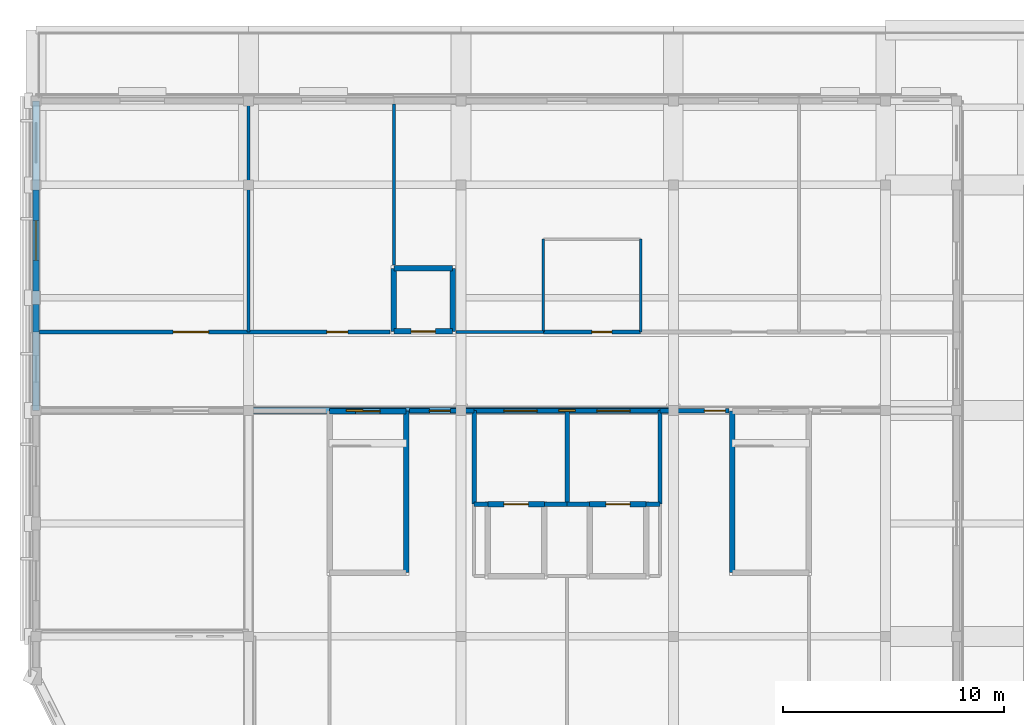
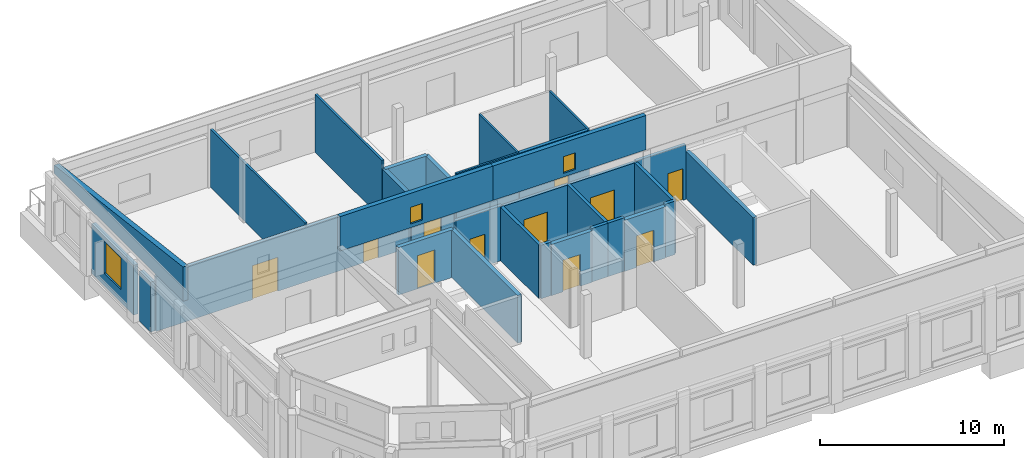
# One storey, part 4 of 8: 32 walls, 11 doors, 3 windows, 14 openings.
"""IFC4 building model written with IfcOpenShell, lengths in metres."""

from ifc_helpers import new_model, si_unit, direction, frame, frame_2d, origin, place, context, subcontext, project, spatial, polyline, rectangle, outline, extrude, material, layer, layer_set, type_object, element, fill, save


model = new_model("IFC4")

# Units and contexts
model_context = context("Model", 3, precision=1e-05, world=origin(), true_north=direction((0.0, 1.0)))
body_context = subcontext(model_context, "Body", "Model", "MODEL_VIEW")
ifc_project = project(units=[si_unit("LENGTHUNIT", "METRE"), si_unit("AREAUNIT", "SQUARE_METRE"), si_unit("VOLUMEUNIT", "CUBIC_METRE"), si_unit("PLANEANGLEUNIT", "RADIAN"), si_unit("MASSUNIT", "GRAM", prefix="KILO")], contexts=[model_context])

# Site, building, storey
site_placement = place(None, origin())
site = spatial("IfcSite", under=ifc_project, at=site_placement, CompositionType="ELEMENT")
building_placement = place(site_placement, origin())
building = spatial("IfcBuilding", under=site, at=building_placement, Name="Vondelvale Polytechnic", CompositionType="ELEMENT")
storey_placement = place(building_placement, frame((0.0, 0.0, 30.60009765625)))
storey = spatial("IfcBuildingStorey", under=building, at=storey_placement, Name="L07", CompositionType="ELEMENT", Elevation=30.60009765625)

# Wall
ifc_material_1 = material(Name="Amsterdam School iron-spot clinker clay brickwork", Category="masonry")
ifc_layer_1 = layer(ifc_material_1, 0.280029296875)
ifc_layer_set_1 = layer_set([ifc_layer_1], Name="WL-BRICK-280")
wall_type_1 = type_object("IfcWallType", Name="WL-BRICK-280", PredefinedType="SOLIDWALL", material=ifc_layer_set_1)
wall_1_placement = place(storey_placement, frame((0.0, 23.949951171875, 0.0), z_axis=(0.0, 0.0, 1.0), x_axis=(0.0, 1.0, 0.0)))
element("IfcWall", 1, at=wall_1_placement, inside=storey, type_object=wall_type_1, Name="L07 exterior masonry facade wall", PredefinedType="SOLIDWALL", context=body_context, shape_type="SweptSolid", body=[
    extrude(rectangle(XDim=1.2490234375, YDim=0.280029296875, at=frame_2d((0.62451171875, 0.0))), origin(), (0.0, 0.0, 1.0), 3.2998046875),
])

# Wall, opening, window
wall_2_placement = place(storey_placement, frame((0.0, 25.801025390625, 0.0), z_axis=(0.0, 0.0, 1.0), x_axis=(0.0, 1.0, 0.0)))
wall_2 = element("IfcWall", 2, at=wall_2_placement, inside=storey, type_object=wall_type_1, Name="L07 exterior masonry facade wall", PredefinedType="SOLIDWALL", context=body_context, shape_type="SweptSolid", body=[
    extrude(rectangle(XDim=4.572998046875, YDim=0.280029296875, at=frame_2d((2.28662109375, 0.0))), origin(), (0.0, 0.0, 1.0), 3.2998046875),
])
opening_1_placement = place(wall_2_placement, frame((1.386474609375, 0.0, 0.85009765625)))
opening_1 = element("IfcOpeningElement", 3, at=opening_1_placement, cuts=wall_2, Name="Opening WN-0304", PredefinedType="OPENING", context=body_context, shape_type="SweptSolid", body=[
    extrude(rectangle(XDim=1.800048828125, YDim=2.10009765625, at=frame_2d((0.89990234375, 1.050048828125))), frame((0.0, 0.14990234375, 0.0), z_axis=(0.0, -1.0, 0.0), x_axis=(1.0, 0.0, 0.0)), (0.0, 0.0, 1.0), 0.300048828125),
])
ifc_material_2 = material(Name="Double-glazed low-E insulated architectural glass", Category="glass")
window_type_1 = type_object("IfcWindowType", Name="WN-LAB-1800x2100", PartitioningType="SINGLE_PANEL", PredefinedType="WINDOW", material=ifc_material_2)
window_1_placement = place(opening_1_placement, origin())
window_1 = element("IfcWindow", 4, at=window_1_placement, inside=storey, type_object=window_type_1, Name="L07 double-glazed architectural window WN-0304", OverallHeight=2.10009765625, OverallWidth=1.800048828125, PartitioningType="SINGLE_PANEL", PredefinedType="WINDOW", context=body_context, shape_type="SweptSolid", body=[
    extrude(rectangle(XDim=1.800048828125, YDim=2.10009765625, at=frame_2d((0.89990234375, 1.050048828125))), frame((0.0, 0.030029296875, 0.0), z_axis=(0.0, -1.0, 0.0), x_axis=(1.0, 0.0, 0.0)), (0.0, 0.0, 1.0), 0.06005859375),
])
fill(opening_1, window_1)

wall_3_placement = place(storey_placement, frame((19.199951171875, 20.39990234375, 4.199951171875), z_axis=(0.0, 0.0, 1.0), x_axis=(-1.0, 0.0, 0.0)))
wall_3 = element("IfcWall", 5, at=wall_3_placement, inside=storey, type_object=wall_type_1, Name="L07 exterior masonry facade wall", PredefinedType="SOLIDWALL", context=body_context, shape_type="SweptSolid", body=[
    extrude(rectangle(XDim=9.599853515625, YDim=0.280029296875, at=frame_2d((4.7998046875, 0.0))), origin(), (0.0, 0.0, 1.0), 2.278564453125),
])
opening_2_placement = place(wall_3_placement, frame((4.425048828125, 0.0, 0.25)))
opening_2 = element("IfcOpeningElement", 6, at=opening_2_placement, cuts=wall_3, Name="Opening WN-0323", PredefinedType="OPENING", context=body_context, shape_type="SweptSolid", body=[
    extrude(rectangle(XDim=0.75, YDim=1.10009765625, at=frame_2d((0.375, 0.550048828125))), frame((0.0, 0.14990234375, 0.0), z_axis=(0.0, -1.0, 0.0), x_axis=(1.0, 0.0, 0.0)), (0.0, 0.0, 1.0), 0.300048828125),
])
window_type_2 = type_object("IfcWindowType", Name="WN-WC-0750x1100", PartitioningType="SINGLE_PANEL", PredefinedType="WINDOW", material=ifc_material_2)
window_2_placement = place(opening_2_placement, origin())
window_2 = element("IfcWindow", 7, at=window_2_placement, inside=storey, type_object=window_type_2, Name="L07 double-glazed architectural window WN-0323", OverallHeight=1.10009765625, OverallWidth=0.75, PartitioningType="SINGLE_PANEL", PredefinedType="WINDOW", context=body_context, shape_type="SweptSolid", body=[
    extrude(rectangle(XDim=0.75, YDim=1.10009765625, at=frame_2d((0.375, 0.550048828125))), frame((0.0, 0.030029296875, 0.0), z_axis=(0.0, -1.0, 0.0), x_axis=(1.0, 0.0, 0.0)), (0.0, 0.0, 1.0), 0.06005859375),
])
fill(opening_2, window_2)

wall_4_placement = place(storey_placement, frame((28.800048828125, 20.39990234375, 4.199951171875), z_axis=(0.0, 0.0, 1.0), x_axis=(-1.0, 0.0, 0.0)))
wall_4 = element("IfcWall", 8, at=wall_4_placement, inside=storey, type_object=wall_type_1, Name="L07 exterior masonry facade wall", PredefinedType="SOLIDWALL", context=body_context, shape_type="SweptSolid", body=[
    extrude(rectangle(XDim=9.60009765625, YDim=0.280029296875, at=frame_2d((4.800048828125, 0.0))), origin(), (0.0, 0.0, 1.0), 2.278564453125),
])
opening_3_placement = place(wall_4_placement, frame((4.425048828125, 0.0, 0.25)))
opening_3 = element("IfcOpeningElement", 9, at=opening_3_placement, cuts=wall_4, Name="Opening WN-0324", PredefinedType="OPENING", context=body_context, shape_type="SweptSolid", body=[
    extrude(rectangle(XDim=0.75, YDim=1.10009765625, at=frame_2d((0.375, 0.550048828125))), frame((0.0, 0.14990234375, 0.0), z_axis=(0.0, -1.0, 0.0), x_axis=(1.0, 0.0, 0.0)), (0.0, 0.0, 1.0), 0.300048828125),
])
window_3_placement = place(opening_3_placement, origin())
window_3 = element("IfcWindow", 10, at=window_3_placement, inside=storey, type_object=window_type_2, Name="L07 double-glazed architectural window WN-0324", OverallHeight=1.10009765625, OverallWidth=0.75, PartitioningType="SINGLE_PANEL", PredefinedType="WINDOW", context=body_context, shape_type="SweptSolid", body=[
    extrude(rectangle(XDim=0.75, YDim=1.10009765625, at=frame_2d((0.375, 0.550048828125))), frame((0.0, 0.030029296875, 0.0), z_axis=(0.0, -1.0, 0.0), x_axis=(1.0, 0.0, 0.0)), (0.0, 0.0, 1.0), 0.06005859375),
])
fill(opening_3, window_3)

# Walls
ifc_layer_2 = layer(ifc_material_1, 0.320068359375)
ifc_layer_set_2 = layer_set([ifc_layer_2], Name="WL-BRICK-320")
wall_type_2 = type_object("IfcWallType", Name="WL-BRICK-320", PredefinedType="SOLIDWALL", material=ifc_layer_set_2)
wall_5_placement = place(storey_placement, frame((0.0, 20.39990234375, 4.199951171875), z_axis=(0.0, 0.0, 1.0), x_axis=(0.0, 1.0, 0.0)))
element("IfcWall", 11, at=wall_5_placement, inside=storey, type_object=wall_type_2, Name="Roof studio raking brick gable 2-W", PredefinedType="SOLIDWALL", context=body_context, shape_type="SweptSolid", body=[
    extrude(outline(polyline([(0.0, 0.0), (14.0, 0.0), (14.0, 0.550537109375), (0.0, 2.278564453125), (0.0, 0.0)])), frame((0.0, 0.16015625, 0.0), z_axis=(0.0, -1.0, 0.0), x_axis=(1.0, 0.0, 0.0)), (0.0, 0.0, 1.0), 0.320068359375),
])
ifc_material_3 = material(Name="Concrete N40 (f'c = 40 MPa)", Category="concrete")
ifc_layer_3 = layer(ifc_material_3, 0.25)
ifc_layer_set_3 = layer_set([ifc_layer_3], Name="WL-CORE-250")
wall_type_3 = type_object("IfcWallType", Name="WL-CORE-250", PredefinedType="SOLIDWALL", material=ifc_layer_set_3)
wall_6_placement = place(storey_placement, frame((16.72509765625, 13.074951171875, 0.0), z_axis=(0.0, 0.0, 1.0), x_axis=(0.0, 1.0, 0.0)))
element("IfcWall", 12, at=wall_6_placement, inside=storey, type_object=wall_type_3, Name="L07 ST-03 reinforced concrete stair core wall", PredefinedType="SOLIDWALL", context=body_context, shape_type="SweptSolid", body=[
    extrude(rectangle(XDim=7.300048828125, YDim=0.25, at=frame_2d((3.64990234375, 0.0))), origin(), (0.0, 0.0, 1.0), 3.14990234375),
])

# Wall, opening, door
wall_7_placement = place(storey_placement, frame((16.72509765625, 20.375, 0.0), z_axis=(0.0, 0.0, 1.0), x_axis=(-1.0, 0.0, 0.0)))
wall_7 = element("IfcWall", 13, at=wall_7_placement, inside=storey, type_object=wall_type_3, Name="L07 ST-03 reinforced concrete stair core wall", PredefinedType="SOLIDWALL", context=body_context, shape_type="SweptSolid", body=[
    extrude(rectangle(XDim=3.4501953125, YDim=0.25, at=frame_2d((1.72509765625, 0.0))), origin(), (0.0, 0.0, 1.0), 3.14990234375),
])
opening_4_placement = place(wall_7_placement, frame((1.175048828125, 0.0, 0.0)))
opening_4 = element("IfcOpeningElement", 14, at=opening_4_placement, cuts=wall_7, Name="Opening SD-017", PredefinedType="OPENING", context=body_context, shape_type="SweptSolid", body=[
    extrude(rectangle(XDim=1.10009765625, YDim=2.199951171875, at=frame_2d((0.550048828125, 1.10009765625))), frame((0.0, 0.135009765625, 0.0), z_axis=(0.0, -1.0, 0.0), x_axis=(1.0, 0.0, 0.0)), (0.0, 0.0, 1.0), 0.27001953125),
])
ifc_material_4 = material(Name="Brushed architectural stainless and zinc-coated metal")
door_type_1 = type_object("IfcDoorType", Name="DR-STAIR-1100x2200", OperationType="SINGLE_SWING_LEFT", PredefinedType="DOOR", material=ifc_material_4)
door_1_placement = place(opening_4_placement, origin())
door_1 = element("IfcDoor", 15, at=door_1_placement, inside=storey, type_object=door_type_1, Name="L07 ST-03 fire-isolated stair door", OperationType="SINGLE_SWING_LEFT", OverallHeight=2.199951171875, OverallWidth=1.10009765625, PredefinedType="DOOR", context=body_context, shape_type="SweptSolid", body=[
    extrude(rectangle(XDim=1.10009765625, YDim=2.199951171875, at=frame_2d((0.550048828125, 1.10009765625))), frame((0.0, 0.02490234375, 0.0), z_axis=(0.0, -1.0, 0.0), x_axis=(1.0, 0.0, 0.0)), (0.0, 0.0, 1.0), 0.050048828125),
])
fill(opening_4, door_1)

# Wall
wall_8_placement = place(storey_placement, frame((31.47509765625, 20.375, 0.0), z_axis=(0.0, 0.0, 1.0), x_axis=(0.0, -1.0, 0.0)))
element("IfcWall", 16, at=wall_8_placement, inside=storey, type_object=wall_type_3, Name="L07 ST-04 reinforced concrete stair core wall", PredefinedType="SOLIDWALL", context=body_context, shape_type="SweptSolid", body=[
    extrude(rectangle(XDim=7.300048828125, YDim=0.25, at=frame_2d((3.64990234375, 0.0))), origin(), (0.0, 0.0, 1.0), 3.14990234375),
])

# Wall, opening, door
ifc_material_5 = material(Name="Fire-rated double-layer plasterboard stud partition")
ifc_layer_4 = layer(ifc_material_5, 0.199951171875)
ifc_layer_set_4 = layer_set([ifc_layer_4], Name="WL-CORR-200")
wall_type_4 = type_object("IfcWallType", Name="WL-CORR-200", PredefinedType="PARTITIONING", material=ifc_layer_set_4)
wall_9_placement = place(storey_placement, frame((19.800048828125, 20.39990234375, 0.0), z_axis=(0.0, 0.0, 1.0), x_axis=(1.0, 0.0, 0.0)))
wall_9 = element("IfcWall", 17, at=wall_9_placement, inside=storey, type_object=wall_type_4, Name="L07 EL-01 fire-isolated lift lobby wall", PredefinedType="PARTITIONING", context=body_context, shape_type="SweptSolid", body=[
    extrude(rectangle(XDim=4.199951171875, YDim=0.199951171875, at=frame_2d((2.10009765625, 0.0))), origin(), (0.0, 0.0, 1.0), 3.5498046875),
])
opening_5_placement = place(wall_9_placement, frame((1.35009765625, 0.0, 0.0)))
opening_5 = element("IfcOpeningElement", 18, at=opening_5_placement, cuts=wall_9, Name="Opening LBD-064", PredefinedType="OPENING", context=body_context, shape_type="SweptSolid", body=[
    extrude(rectangle(XDim=1.5, YDim=2.199951171875, at=frame_2d((0.75, 1.10009765625))), frame((0.0, 0.10986328125, 0.0), z_axis=(0.0, -1.0, 0.0), x_axis=(1.0, 0.0, 0.0)), (0.0, 0.0, 1.0), 0.219970703125),
])
ifc_material_6 = material(Name="Engineered Tasmanian oak studio and bridge joinery")
door_type_2 = type_object("IfcDoorType", Name="DR-LOBBY-1500x2200", OperationType="DOUBLE_DOOR_SINGLE_SWING", PredefinedType="DOOR", material=ifc_material_6)
door_2_placement = place(opening_5_placement, origin())
door_2 = element("IfcDoor", 19, at=door_2_placement, inside=storey, type_object=door_type_2, Name="L07 EL-01 firefighting lobby smoke door", OperationType="SINGLE_SWING_LEFT", OverallHeight=2.199951171875, OverallWidth=1.5, PredefinedType="DOOR", context=body_context, shape_type="SweptSolid", body=[
    extrude(rectangle(XDim=1.5, YDim=2.199951171875, at=frame_2d((0.75, 1.10009765625))), frame((0.0, 0.02490234375, 0.0), z_axis=(0.0, -1.0, 0.0), x_axis=(1.0, 0.0, 0.0)), (0.0, 0.0, 1.0), 0.050048828125),
])
fill(opening_5, door_2)

# Walls
for number, where, z_axis, x_axis, name in (
    (20, (19.800048828125, 16.175048828125, 0.0), (0.0, 0.0, 1.0), (0.0, 1.0, 0.0), "L07 EL-01 fire-isolated lift lobby wall"),
    (21, (24.0, 16.175048828125, 0.0), (0.0, 0.0, 1.0), (0.0, 1.0, 0.0), "L07 EL-01 fire-isolated lift lobby wall"),
):
    element("IfcWall", number, at=place(storey_placement, frame(where, z_axis=z_axis, x_axis=x_axis)), inside=storey, type_object=wall_type_4, Name=name, PredefinedType="PARTITIONING", context=body_context, shape_type="SweptSolid", body=[
        extrude(rectangle(XDim=4.224853515625, YDim=0.199951171875, at=frame_2d((2.1123046875, 0.0))), origin(), (0.0, 0.0, 1.0), 3.5498046875),
    ])
wall_10_placement = place(storey_placement, frame((19.800048828125, 16.175048828125, 0.0), z_axis=(0.0, 0.0, 1.0), x_axis=(1.0, 0.0, 0.0)))
element("IfcWall", 22, at=wall_10_placement, inside=storey, type_object=wall_type_4, Name="L07 EL-01 fire-isolated lift lobby wall", PredefinedType="PARTITIONING", context=body_context, shape_type="SweptSolid", body=[
    extrude(rectangle(XDim=0.625, YDim=0.199951171875, at=frame_2d((0.3125, 0.0))), origin(), (0.0, 0.0, 1.0), 3.5498046875),
])
wall_11_placement = place(storey_placement, frame((22.97509765625, 16.175048828125, 0.0), z_axis=(0.0, 0.0, 1.0), x_axis=(1.0, 0.0, 0.0)))
element("IfcWall", 23, at=wall_11_placement, inside=storey, type_object=wall_type_4, Name="L07 EL-01 fire-isolated lift lobby wall", PredefinedType="PARTITIONING", context=body_context, shape_type="SweptSolid", body=[
    extrude(rectangle(XDim=1.02490234375, YDim=0.199951171875, at=frame_2d((0.512451171875, 0.0))), origin(), (0.0, 0.0, 1.0), 3.5498046875),
])

# Wall, opening, door
wall_12_placement = place(storey_placement, frame((24.0, 20.39990234375, 0.0), z_axis=(0.0, 0.0, 1.0), x_axis=(1.0, 0.0, 0.0)))
wall_12 = element("IfcWall", 24, at=wall_12_placement, inside=storey, type_object=wall_type_4, Name="L07 EL-02 fire-isolated lift lobby wall", PredefinedType="PARTITIONING", context=body_context, shape_type="SweptSolid", body=[
    extrude(rectangle(XDim=4.199951171875, YDim=0.199951171875, at=frame_2d((2.10009765625, 0.0))), origin(), (0.0, 0.0, 1.0), 3.5498046875),
])
opening_6_placement = place(wall_12_placement, frame((1.35009765625, 0.0, 0.0)))
opening_6 = element("IfcOpeningElement", 25, at=opening_6_placement, cuts=wall_12, Name="Opening LBD-073", PredefinedType="OPENING", context=body_context, shape_type="SweptSolid", body=[
    extrude(rectangle(XDim=1.5, YDim=2.199951171875, at=frame_2d((0.75, 1.10009765625))), frame((0.0, 0.10986328125, 0.0), z_axis=(0.0, -1.0, 0.0), x_axis=(1.0, 0.0, 0.0)), (0.0, 0.0, 1.0), 0.219970703125),
])
door_3_placement = place(opening_6_placement, origin())
door_3 = element("IfcDoor", 26, at=door_3_placement, inside=storey, type_object=door_type_2, Name="L07 EL-02 firefighting lobby smoke door", OperationType="SINGLE_SWING_LEFT", OverallHeight=2.199951171875, OverallWidth=1.5, PredefinedType="DOOR", context=body_context, shape_type="SweptSolid", body=[
    extrude(rectangle(XDim=1.5, YDim=2.199951171875, at=frame_2d((0.75, 1.10009765625))), frame((0.0, 0.02490234375, 0.0), z_axis=(0.0, -1.0, 0.0), x_axis=(1.0, 0.0, 0.0)), (0.0, 0.0, 1.0), 0.050048828125),
])
fill(opening_6, door_3)

# Walls
wall_13_placement = place(storey_placement, frame((28.199951171875, 16.175048828125, 0.0), z_axis=(0.0, 0.0, 1.0), x_axis=(0.0, 1.0, 0.0)))
element("IfcWall", 27, at=wall_13_placement, inside=storey, type_object=wall_type_4, Name="L07 EL-02 fire-isolated lift lobby wall", PredefinedType="PARTITIONING", context=body_context, shape_type="SweptSolid", body=[
    extrude(rectangle(XDim=4.224853515625, YDim=0.199951171875, at=frame_2d((2.1123046875, 0.0))), origin(), (0.0, 0.0, 1.0), 3.5498046875),
])
wall_14_placement = place(storey_placement, frame((24.0, 16.175048828125, 0.0), z_axis=(0.0, 0.0, 1.0), x_axis=(1.0, 0.0, 0.0)))
element("IfcWall", 28, at=wall_14_placement, inside=storey, type_object=wall_type_4, Name="L07 EL-02 fire-isolated lift lobby wall", PredefinedType="PARTITIONING", context=body_context, shape_type="SweptSolid", body=[
    extrude(rectangle(XDim=1.02490234375, YDim=0.199951171875, at=frame_2d((0.512451171875, 0.0))), origin(), (0.0, 0.0, 1.0), 3.5498046875),
])
wall_15_placement = place(storey_placement, frame((27.574951171875, 16.175048828125, 0.0), z_axis=(0.0, 0.0, 1.0), x_axis=(1.0, 0.0, 0.0)))
element("IfcWall", 29, at=wall_15_placement, inside=storey, type_object=wall_type_4, Name="L07 EL-02 fire-isolated lift lobby wall", PredefinedType="PARTITIONING", context=body_context, shape_type="SweptSolid", body=[
    extrude(rectangle(XDim=0.625, YDim=0.199951171875, at=frame_2d((0.3125, 0.0))), origin(), (0.0, 0.0, 1.0), 3.5498046875),
])

# Wall, opening, door
wall_16_placement = place(storey_placement, frame((16.889892578125, 20.39990234375, 0.0), z_axis=(0.0, 0.0, 1.0), x_axis=(1.0, 0.0, 0.0)))
wall_16 = element("IfcWall", 30, at=wall_16_placement, inside=storey, type_object=wall_type_4, Name="L07 interior acoustic partition", PredefinedType="PARTITIONING", context=body_context, shape_type="SweptSolid", body=[
    extrude(rectangle(XDim=2.91015625, YDim=0.199951171875, at=frame_2d((1.455078125, 0.0))), origin(), (0.0, 0.0, 1.0), 3.6298828125),
])
opening_7_placement = place(wall_16_placement, frame((0.885009765625, 0.0, 0.0)))
opening_7 = element("IfcOpeningElement", 31, at=opening_7_placement, cuts=wall_16, Name="Opening ID-0205", PredefinedType="OPENING", context=body_context, shape_type="SweptSolid", body=[
    extrude(rectangle(XDim=0.949951171875, YDim=2.10009765625, at=frame_2d((0.47509765625, 1.050048828125))), frame((0.0, 0.10986328125, 0.0), z_axis=(0.0, -1.0, 0.0), x_axis=(1.0, 0.0, 0.0)), (0.0, 0.0, 1.0), 0.219970703125),
])
ifc_material_7 = material(Name="Fire-rated solid Tasmanian oak joinery")
door_type_3 = type_object("IfcDoorType", Name="DR-INT-0950x2100", OperationType="SINGLE_SWING_LEFT", PredefinedType="DOOR", material=ifc_material_7)
door_4_placement = place(opening_7_placement, origin())
door_4 = element("IfcDoor", 32, at=door_4_placement, inside=storey, type_object=door_type_3, Name="L07 interior room door ID-0205", OperationType="SINGLE_SWING_LEFT", OverallHeight=2.10009765625, OverallWidth=0.949951171875, PredefinedType="DOOR", context=body_context, shape_type="SweptSolid", body=[
    extrude(rectangle(XDim=0.949951171875, YDim=2.10009765625, at=frame_2d((0.47509765625, 1.050048828125))), frame((0.0, 0.02490234375, 0.0), z_axis=(0.0, -1.0, 0.0), x_axis=(1.0, 0.0, 0.0)), (0.0, 0.0, 1.0), 0.050048828125),
])
fill(opening_7, door_4)

wall_17_placement = place(storey_placement, frame((28.199951171875, 20.39990234375, 0.0), z_axis=(0.0, 0.0, 1.0), x_axis=(1.0, 0.0, 0.0)))
wall_17 = element("IfcWall", 33, at=wall_17_placement, inside=storey, type_object=wall_type_4, Name="L07 interior acoustic partition", PredefinedType="PARTITIONING", context=body_context, shape_type="SweptSolid", body=[
    extrude(rectangle(XDim=3.110107421875, YDim=0.199951171875, at=frame_2d((1.55517578125, 0.0))), origin(), (0.0, 0.0, 1.0), 3.6298828125),
])
opening_8_placement = place(wall_17_placement, frame((2.0, 0.0, 0.0)))
opening_8 = element("IfcOpeningElement", 34, at=opening_8_placement, cuts=wall_17, Name="Opening ID-0206", PredefinedType="OPENING", context=body_context, shape_type="SweptSolid", body=[
    extrude(rectangle(XDim=0.949951171875, YDim=2.10009765625, at=frame_2d((0.47509765625, 1.050048828125))), frame((0.0, 0.10986328125, 0.0), z_axis=(0.0, -1.0, 0.0), x_axis=(1.0, 0.0, 0.0)), (0.0, 0.0, 1.0), 0.219970703125),
])
door_5_placement = place(opening_8_placement, origin())
door_5 = element("IfcDoor", 35, at=door_5_placement, inside=storey, type_object=door_type_3, Name="L07 interior room door ID-0206", OperationType="SINGLE_SWING_RIGHT", OverallHeight=2.10009765625, OverallWidth=0.949951171875, PredefinedType="DOOR", context=body_context, shape_type="SweptSolid", body=[
    extrude(rectangle(XDim=0.949951171875, YDim=2.10009765625, at=frame_2d((0.47509765625, 1.050048828125))), frame((0.0, 0.02490234375, 0.0), z_axis=(0.0, -1.0, 0.0), x_axis=(1.0, 0.0, 0.0)), (0.0, 0.0, 1.0), 0.050048828125),
])
fill(opening_8, door_5)

wall_18_placement = place(storey_placement, frame((22.925048828125, 23.949951171875, 0.0), z_axis=(0.0, 0.0, 1.0), x_axis=(1.0, 0.0, 0.0)))
wall_18 = element("IfcWall", 36, at=wall_18_placement, inside=storey, type_object=wall_type_4, Name="L07 interior acoustic partition", PredefinedType="PARTITIONING", context=body_context, shape_type="SweptSolid", body=[
    extrude(rectangle(XDim=4.39990234375, YDim=0.199951171875, at=frame_2d((2.199951171875, 0.0))), origin(), (0.0, 0.0, 1.0), 3.849853515625),
])
opening_9_placement = place(wall_18_placement, frame((2.199951171875, 0.0, 0.0)))
opening_9 = element("IfcOpeningElement", 37, at=opening_9_placement, cuts=wall_18, Name="Opening ID-0208", PredefinedType="OPENING", context=body_context, shape_type="SweptSolid", body=[
    extrude(rectangle(XDim=0.89990234375, YDim=2.050048828125, at=frame_2d((0.449951171875, 1.02490234375))), frame((0.0, 0.10986328125, 0.0), z_axis=(0.0, -1.0, 0.0), x_axis=(1.0, 0.0, 0.0)), (0.0, 0.0, 1.0), 0.219970703125),
])
door_type_4 = type_object("IfcDoorType", Name="DR-WC-0900x2050", OperationType="SINGLE_SWING_RIGHT", PredefinedType="DOOR", material=ifc_material_7)
door_6_placement = place(opening_9_placement, origin())
door_6 = element("IfcDoor", 38, at=door_6_placement, inside=storey, type_object=door_type_4, Name="L07 interior room door ID-0208", OperationType="SINGLE_SWING_RIGHT", OverallHeight=2.050048828125, OverallWidth=0.89990234375, PredefinedType="DOOR", context=body_context, shape_type="SweptSolid", body=[
    extrude(rectangle(XDim=0.89990234375, YDim=2.050048828125, at=frame_2d((0.449951171875, 1.02490234375))), frame((0.0, 0.02490234375, 0.0), z_axis=(0.0, -1.0, 0.0), x_axis=(1.0, 0.0, 0.0)), (0.0, 0.0, 1.0), 0.050048828125),
])
fill(opening_9, door_6)

# Wall, openings, doors
wall_19_placement = place(storey_placement, frame((0.14990234375, 23.949951171875, 0.0), z_axis=(0.0, 0.0, 1.0), x_axis=(1.0, 0.0, 0.0)))
wall_19 = element("IfcWall", 39, at=wall_19_placement, inside=storey, type_object=wall_type_4, Name="L07 interior acoustic partition", PredefinedType="PARTITIONING", context=body_context, shape_type="SweptSolid", body=[
    extrude(rectangle(XDim=15.860107421875, YDim=0.199951171875, at=frame_2d((7.93017578125, 0.0))), origin(), (0.0, 0.0, 1.0), 3.6298828125),
])
opening_10_placement = place(wall_19_placement, frame((6.050048828125, 0.0, 0.0)))
opening_10 = element("IfcOpeningElement", 40, at=opening_10_placement, cuts=wall_19, Name="Opening ID-0209", PredefinedType="OPENING", context=body_context, shape_type="SweptSolid", body=[
    extrude(rectangle(XDim=1.60009765625, YDim=2.25, at=frame_2d((0.800048828125, 1.125))), frame((0.0, 0.10986328125, 0.0), z_axis=(0.0, -1.0, 0.0), x_axis=(1.0, 0.0, 0.0)), (0.0, 0.0, 1.0), 0.219970703125),
])
opening_11_placement = place(wall_19_placement, frame((13.0, 0.0, 0.0)))
opening_11 = element("IfcOpeningElement", 41, at=opening_11_placement, cuts=wall_19, Name="Opening ID-0210", PredefinedType="OPENING", context=body_context, shape_type="SweptSolid", body=[
    extrude(rectangle(XDim=0.949951171875, YDim=2.10009765625, at=frame_2d((0.47509765625, 1.050048828125))), frame((0.0, 0.10986328125, 0.0), z_axis=(0.0, -1.0, 0.0), x_axis=(1.0, 0.0, 0.0)), (0.0, 0.0, 1.0), 0.219970703125),
])
door_7_placement = place(opening_11_placement, origin())
door_7 = element("IfcDoor", 42, at=door_7_placement, inside=storey, type_object=door_type_3, Name="L07 interior room door ID-0210", OperationType="SINGLE_SWING_RIGHT", OverallHeight=2.10009765625, OverallWidth=0.949951171875, PredefinedType="DOOR", context=body_context, shape_type="SweptSolid", body=[
    extrude(rectangle(XDim=0.949951171875, YDim=2.10009765625, at=frame_2d((0.47509765625, 1.050048828125))), frame((0.0, 0.02490234375, 0.0), z_axis=(0.0, -1.0, 0.0), x_axis=(1.0, 0.0, 0.0)), (0.0, 0.0, 1.0), 0.050048828125),
])
fill(opening_11, door_7)
door_type_5 = type_object("IfcDoorType", Name="DR-LAB-1600x2250", OperationType="DOUBLE_DOOR_SINGLE_SWING", PredefinedType="DOOR", material=ifc_material_7)
door_8_placement = place(opening_10_placement, origin())
door_8 = element("IfcDoor", 43, at=door_8_placement, inside=storey, type_object=door_type_5, Name="L07 interior room door ID-0209", OperationType="DOUBLE_DOOR_SINGLE_SWING", OverallHeight=2.25, OverallWidth=1.60009765625, PredefinedType="DOOR", context=body_context, shape_type="SweptSolid", body=[
    extrude(rectangle(XDim=1.60009765625, YDim=2.25, at=frame_2d((0.800048828125, 1.125))), frame((0.0, 0.02490234375, 0.0), z_axis=(0.0, -1.0, 0.0), x_axis=(1.0, 0.0, 0.0)), (0.0, 0.0, 1.0), 0.050048828125),
])
fill(opening_10, door_8)

# Walls
ifc_layer_5 = layer(ifc_material_5, 0.1201171875)
ifc_layer_set_5 = layer_set([ifc_layer_5], Name="WL-INT-120")
wall_type_5 = type_object("IfcWallType", Name="WL-INT-120", PredefinedType="PARTITIONING", material=ifc_layer_set_5)
wall_20_placement = place(storey_placement, frame((18.989990234375, 23.949951171875, 0.0), z_axis=(0.0, 0.0, 1.0), x_axis=(1.0, 0.0, 0.0)))
element("IfcWall", 44, at=wall_20_placement, inside=storey, type_object=wall_type_5, Name="L07 interior acoustic partition", PredefinedType="PARTITIONING", context=body_context, shape_type="SweptSolid", body=[
    extrude(rectangle(XDim=3.93505859375, YDim=0.1201171875, at=frame_2d((1.967529296875, 0.0))), origin(), (0.0, 0.0, 1.0), 3.849853515625),
])
for number, where, z_axis, x_axis, name in (
    (45, (22.925048828125, 23.949951171875, 0.0), (0.0, 0.0, 1.0), (0.0, 1.0, 0.0), "L07 interior acoustic partition"),
    (46, (27.324951171875, 23.949951171875, 0.0), (0.0, 0.0, 1.0), (0.0, 1.0, 0.0), "L07 interior acoustic partition"),
):
    element("IfcWall", number, at=place(storey_placement, frame(where, z_axis=z_axis, x_axis=x_axis)), inside=storey, type_object=wall_type_5, Name=name, PredefinedType="PARTITIONING", context=body_context, shape_type="SweptSolid", body=[
        extrude(rectangle(XDim=4.199951171875, YDim=0.1201171875, at=frame_2d((2.10009765625, 0.0))), origin(), (0.0, 0.0, 1.0), 3.849853515625),
    ])
ifc_layer_6 = layer(ifc_material_5, 0.135009765625)
ifc_layer_set_6 = layer_set([ifc_layer_6], Name="WL-INT-135")
wall_type_6 = type_object("IfcWallType", Name="WL-INT-135", PredefinedType="PARTITIONING", material=ifc_layer_set_6)
wall_21_placement = place(storey_placement, frame((9.60009765625, 23.949951171875, 0.0), z_axis=(0.0, 0.0, 1.0), x_axis=(0.0, 1.0, 0.0)))
element("IfcWall", 47, at=wall_21_placement, inside=storey, type_object=wall_type_6, Name="L07 interior acoustic partition", PredefinedType="PARTITIONING", context=body_context, shape_type="SweptSolid", body=[
    extrude(rectangle(XDim=10.300048828125, YDim=0.135009765625, at=frame_2d((5.14990234375, 0.0))), origin(), (0.0, 0.0, 1.0), 3.849853515625),
])
wall_22_placement = place(storey_placement, frame((16.175048828125, 26.989990234375, 0.0), z_axis=(0.0, 0.0, 1.0), x_axis=(0.0, 1.0, 0.0)))
element("IfcWall", 48, at=wall_22_placement, inside=storey, type_object=wall_type_6, Name="L07 interior acoustic partition", PredefinedType="PARTITIONING", context=body_context, shape_type="SweptSolid", body=[
    extrude(rectangle(XDim=7.260009765625, YDim=0.135009765625, at=frame_2d((3.6298828125, 0.0))), origin(), (0.0, 0.0, 1.0), 3.849853515625),
])

# Wall, opening, door
ifc_layer_7 = layer(ifc_material_3, 0.25)
ifc_layer_set_7 = layer_set([ifc_layer_7], Name="WL-SHAFT-250")
wall_type_7 = type_object("IfcWallType", Name="WL-SHAFT-250", PredefinedType="SOLIDWALL", material=ifc_layer_set_7)
wall_23_placement = place(storey_placement, frame((22.97509765625, 16.175048828125, 0.0), z_axis=(0.0, 0.0, 1.0), x_axis=(-1.0, 0.0, 0.0)))
wall_23 = element("IfcWall", 49, at=wall_23_placement, inside=storey, type_object=wall_type_7, Name="L07 EL-01 lift shaft wall N", PredefinedType="SOLIDWALL", context=body_context, shape_type="SweptSolid", body=[
    extrude(rectangle(XDim=2.550048828125, YDim=0.25, at=frame_2d((1.27490234375, 0.0))), origin(), (0.0, 0.0, 1.0), 3.39990234375),
])
opening_12_placement = place(wall_23_placement, frame((0.72509765625, 0.0, 0.0)))
opening_12 = element("IfcOpeningElement", 50, at=opening_12_placement, cuts=wall_23, Name="Opening LD-009", PredefinedType="OPENING", context=body_context, shape_type="SweptSolid", body=[
    extrude(rectangle(XDim=1.10009765625, YDim=2.10009765625, at=frame_2d((0.550048828125, 1.050048828125))), frame((0.0, 0.135009765625, 0.0), z_axis=(0.0, -1.0, 0.0), x_axis=(1.0, 0.0, 0.0)), (0.0, 0.0, 1.0), 0.27001953125),
])
door_type_6 = type_object("IfcDoorType", Name="DR-LIFT-1100x2100", OperationType="SLIDING_TO_LEFT", PredefinedType="DOOR", material=ifc_material_4)
door_9_placement = place(opening_12_placement, origin())
door_9 = element("IfcDoor", 51, at=door_9_placement, inside=storey, type_object=door_type_6, Name="L07 EL-01 sliding lift landing door", OperationType="SLIDING_TO_LEFT", OverallHeight=2.10009765625, OverallWidth=1.10009765625, PredefinedType="DOOR", context=body_context, shape_type="SweptSolid", body=[
    extrude(rectangle(XDim=1.10009765625, YDim=2.10009765625, at=frame_2d((0.550048828125, 1.050048828125))), frame((0.0, 0.02490234375, 0.0), z_axis=(0.0, -1.0, 0.0), x_axis=(1.0, 0.0, 0.0)), (0.0, 0.0, 1.0), 0.050048828125),
])
fill(opening_12, door_9)

wall_24_placement = place(storey_placement, frame((27.574951171875, 16.175048828125, 0.0), z_axis=(0.0, 0.0, 1.0), x_axis=(-1.0, 0.0, 0.0)))
wall_24 = element("IfcWall", 52, at=wall_24_placement, inside=storey, type_object=wall_type_7, Name="L07 EL-02 lift shaft wall N", PredefinedType="SOLIDWALL", context=body_context, shape_type="SweptSolid", body=[
    extrude(rectangle(XDim=2.550048828125, YDim=0.25, at=frame_2d((1.27490234375, 0.0))), origin(), (0.0, 0.0, 1.0), 3.39990234375),
])
opening_13_placement = place(wall_24_placement, frame((0.72509765625, 0.0, 0.0)))
opening_13 = element("IfcOpeningElement", 53, at=opening_13_placement, cuts=wall_24, Name="Opening LD-018", PredefinedType="OPENING", context=body_context, shape_type="SweptSolid", body=[
    extrude(rectangle(XDim=1.10009765625, YDim=2.10009765625, at=frame_2d((0.550048828125, 1.050048828125))), frame((0.0, 0.135009765625, 0.0), z_axis=(0.0, -1.0, 0.0), x_axis=(1.0, 0.0, 0.0)), (0.0, 0.0, 1.0), 0.27001953125),
])
door_10_placement = place(opening_13_placement, origin())
door_10 = element("IfcDoor", 54, at=door_10_placement, inside=storey, type_object=door_type_6, Name="L07 EL-02 sliding lift landing door", OperationType="SLIDING_TO_LEFT", OverallHeight=2.10009765625, OverallWidth=1.10009765625, PredefinedType="DOOR", context=body_context, shape_type="SweptSolid", body=[
    extrude(rectangle(XDim=1.10009765625, YDim=2.10009765625, at=frame_2d((0.550048828125, 1.050048828125))), frame((0.0, 0.02490234375, 0.0), z_axis=(0.0, -1.0, 0.0), x_axis=(1.0, 0.0, 0.0)), (0.0, 0.0, 1.0), 0.050048828125),
])
fill(opening_13, door_10)

wall_25_placement = place(storey_placement, frame((16.175048828125, 23.97509765625, 0.0), z_axis=(0.0, 0.0, 1.0), x_axis=(1.0, 0.0, 0.0)))
wall_25 = element("IfcWall", 55, at=wall_25_placement, inside=storey, type_object=wall_type_7, Name="L07 PL-01 lift shaft wall S", PredefinedType="SOLIDWALL", context=body_context, shape_type="SweptSolid", body=[
    extrude(rectangle(XDim=2.64990234375, YDim=0.25, at=frame_2d((1.324951171875, 0.0))), origin(), (0.0, 0.0, 1.0), 3.39990234375),
])
opening_14_placement = place(wall_25_placement, frame((0.77490234375, 0.0, 0.0)))
opening_14 = element("IfcOpeningElement", 56, at=opening_14_placement, cuts=wall_25, Name="Opening LD-027", PredefinedType="OPENING", context=body_context, shape_type="SweptSolid", body=[
    extrude(rectangle(XDim=1.10009765625, YDim=2.10009765625, at=frame_2d((0.550048828125, 1.050048828125))), frame((0.0, 0.135009765625, 0.0), z_axis=(0.0, -1.0, 0.0), x_axis=(1.0, 0.0, 0.0)), (0.0, 0.0, 1.0), 0.27001953125),
])
door_11_placement = place(opening_14_placement, origin())
door_11 = element("IfcDoor", 57, at=door_11_placement, inside=storey, type_object=door_type_6, Name="L07 PL-01 sliding lift landing door", OperationType="SLIDING_TO_LEFT", OverallHeight=2.10009765625, OverallWidth=1.10009765625, PredefinedType="DOOR", context=body_context, shape_type="SweptSolid", body=[
    extrude(rectangle(XDim=1.10009765625, YDim=2.10009765625, at=frame_2d((0.550048828125, 1.050048828125))), frame((0.0, 0.02490234375, 0.0), z_axis=(0.0, -1.0, 0.0), x_axis=(1.0, 0.0, 0.0)), (0.0, 0.0, 1.0), 0.050048828125),
])
fill(opening_14, door_11)

# Walls
wall_26_placement = place(storey_placement, frame((18.824951171875, 23.97509765625, 0.0), z_axis=(0.0, 0.0, 1.0), x_axis=(0.0, 1.0, 0.0)))
element("IfcWall", 58, at=wall_26_placement, inside=storey, type_object=wall_type_7, Name="L07 PL-01 lift shaft wall E", PredefinedType="SOLIDWALL", context=body_context, shape_type="SweptSolid", body=[
    extrude(rectangle(XDim=2.849853515625, YDim=0.25, at=frame_2d((1.4248046875, 0.0))), origin(), (0.0, 0.0, 1.0), 3.39990234375),
])
wall_27_placement = place(storey_placement, frame((18.824951171875, 26.824951171875, 0.0), z_axis=(0.0, 0.0, 1.0), x_axis=(-1.0, 0.0, 0.0)))
element("IfcWall", 59, at=wall_27_placement, inside=storey, type_object=wall_type_7, Name="L07 PL-01 lift shaft wall N", PredefinedType="SOLIDWALL", context=body_context, shape_type="SweptSolid", body=[
    extrude(rectangle(XDim=2.64990234375, YDim=0.25, at=frame_2d((1.324951171875, 0.0))), origin(), (0.0, 0.0, 1.0), 3.39990234375),
])
wall_28_placement = place(storey_placement, frame((16.175048828125, 26.824951171875, 0.0), z_axis=(0.0, 0.0, 1.0), x_axis=(0.0, -1.0, 0.0)))
element("IfcWall", 60, at=wall_28_placement, inside=storey, type_object=wall_type_7, Name="L07 PL-01 lift shaft wall W", PredefinedType="SOLIDWALL", context=body_context, shape_type="SweptSolid", body=[
    extrude(rectangle(XDim=2.849853515625, YDim=0.25, at=frame_2d((1.4248046875, 0.0))), origin(), (0.0, 0.0, 1.0), 3.39990234375),
])

save(model, "model.ifc")
